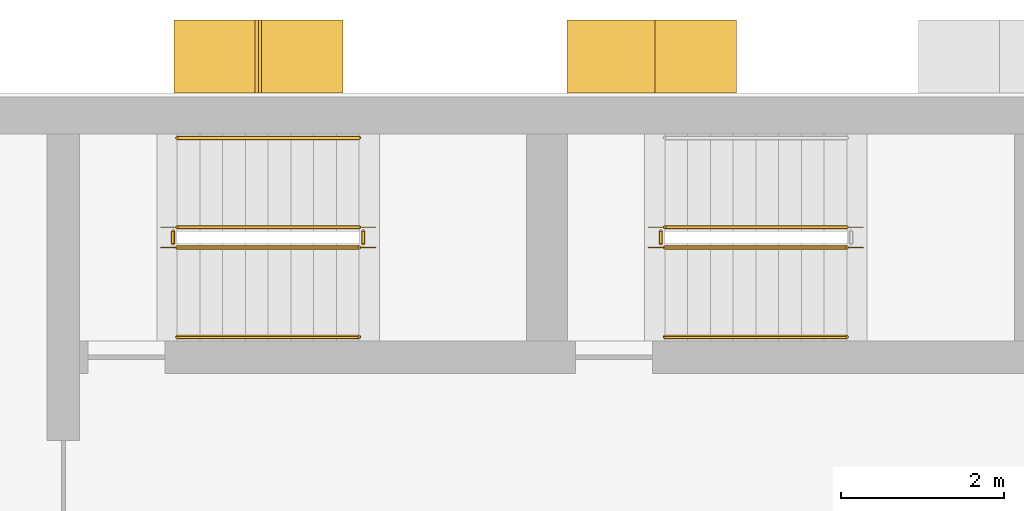
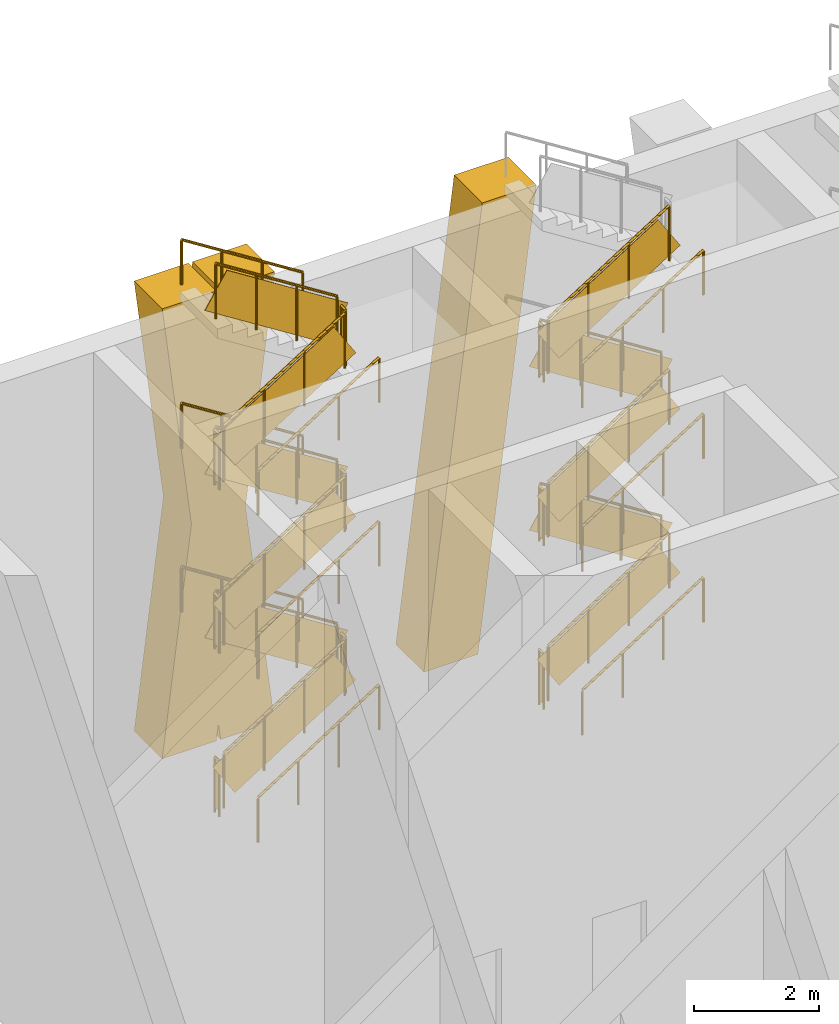
# One storey, part 13 of 16: 29 railings, 2 shading devices.
"""IFC4 building model written with IfcOpenShell, lengths in metres."""

import ifcopenshell
import ifcopenshell.guid

model = None  # the IFC model being written
_history = None  # IfcOwnerHistory: only IFC2X3 demands one
_inside = {}  # id of a spatial element -> (the spatial element, [elements in it])
_under = {}  # id of a project, library or spatial element -> (it, [spatial elements below it])
_declared = {}  # id of a project -> (the project, [libraries it declares])
_typed = {}  # id of a type object -> (the type object, [elements of that type])
_made_of = {}  # id of a material, layer set ... -> (it, [elements and type objects made of it])


def new_model(schema):
    """Start an empty IFC model of exactly this schema.

    Asked for "IFC4X3", IfcOpenShell would pick the latest addendum, in which some entities
    have other attributes; the version numbers below select the first issue.
    IFC2X3 requires an IfcOwnerHistory on every rooted entity: one is made here for all.
    """
    global model, _history
    if schema == "IFC4X3":
        model = ifcopenshell.file(schema_version=(4, 3, 0, 0))
    else:
        model = ifcopenshell.file(schema=schema)
    _inside.clear()
    _under.clear()
    _declared.clear()
    _typed.clear()
    _made_of.clear()
    _history = None
    if model.schema == "IFC2X3":
        org = make("IfcOrganization", Name="unknown")
        user = make(
            "IfcPersonAndOrganization",
            ThePerson=make("IfcPerson", FamilyName="unknown"),
            TheOrganization=org,
        )
        app = make(
            "IfcApplication",
            ApplicationDeveloper=org,
            Version="unknown",
            ApplicationFullName="unknown",
            ApplicationIdentifier="unknown",
        )
        _history = make(
            "IfcOwnerHistory",
            OwningUser=user,
            OwningApplication=app,
            ChangeAction="ADDED",
            CreationDate=0,
        )
    return model


def make(cls, **values):
    """One entity of the class cls with the attributes given. An attribute that is None is left unset."""
    return model.create_entity(
        cls, **{name: value for name, value in values.items() if value is not None}
    )


def rooted(cls, **values):
    """An entity with a GlobalId (a new one), such as an element, a storey or a relation."""
    return make(cls, GlobalId=ifcopenshell.guid.new(), OwnerHistory=_history, **values)


def si_unit(unit_type, name, prefix=None):
    """IfcSIUnit, for example si_unit("LENGTHUNIT", "METRE", prefix="MILLI")."""
    return make("IfcSIUnit", UnitType=unit_type, Prefix=prefix, Name=name)


def assignment(units):
    """IfcUnitAssignment: the units of a project."""
    return None if units is None else make("IfcUnitAssignment", Units=units)


def point(xyz):
    """IfcCartesianPoint."""
    return None if xyz is None else make("IfcCartesianPoint", Coordinates=xyz)


def direction(xyz):
    """IfcDirection."""
    return None if xyz is None else make("IfcDirection", DirectionRatios=xyz)


def frame(location, z_axis=None, x_axis=None):
    """IfcAxis2Placement3D, a coordinate frame: its origin and axes. An axis left out is left unset."""
    return make(
        "IfcAxis2Placement3D",
        Location=point(location),
        Axis=direction(z_axis),
        RefDirection=direction(x_axis),
    )


def frame_2d(location, x_axis=None):
    """IfcAxis2Placement2D, a coordinate frame in the plane: its origin and x axis."""
    return make(
        "IfcAxis2Placement2D", Location=point(location), RefDirection=direction(x_axis)
    )


def origin():
    """The frame at (0, 0, 0) with its axes left unset."""
    return frame((0.0, 0.0, 0.0))


def origin_2d():
    """The frame at (0, 0) in the plane with its x axis left unset."""
    return frame_2d((0.0, 0.0))


def place(relative_to, where):
    """IfcLocalPlacement: puts the frame where relative to a parent placement (None: the world)."""
    return make(
        "IfcLocalPlacement", PlacementRelTo=relative_to, RelativePlacement=where
    )


def context(
    kind, dimensions, precision=None, world=None, true_north=None, identifier=None
):
    """IfcGeometricRepresentationContext, for example the 3D "Model" context."""
    return make(
        "IfcGeometricRepresentationContext",
        ContextIdentifier=identifier,
        ContextType=kind,
        CoordinateSpaceDimension=dimensions,
        Precision=precision,
        WorldCoordinateSystem=world,
        TrueNorth=true_north,
    )


def subcontext(parent, identifier, kind, view, scale=None):
    """IfcGeometricRepresentationSubContext, for example "Body" below "Model"."""
    return make(
        "IfcGeometricRepresentationSubContext",
        ContextIdentifier=identifier,
        ContextType=kind,
        ParentContext=parent,
        TargetScale=scale,
        TargetView=view,
    )


def project(units=None, contexts=None):
    """IfcProject with its units and contexts."""
    return rooted(
        "IfcProject",
        Name="project",
        RepresentationContexts=contexts,
        UnitsInContext=assignment(units),
    )


def spatial(cls, under=None, at=None, **own):
    """A site, building, storey or space (cls), placed at a placement, below another one or the project."""
    s = rooted(cls, ObjectPlacement=at, **own)
    if under is not None:
        _under.setdefault(under.id(), (under, []))[1].append(s)
    return s


def polyline(points):
    """IfcPolyline through the points."""
    return make("IfcPolyline", Points=[point(p) for p in points])


def profile(cls, at=None, kind="AREA", **sizes):
    """A parametric profile (cls). Its sizes go by their IFC names, for example OverallWidth=200.0."""
    return make(cls, ProfileType=kind, Position=at, **sizes)


def rectangle(**sizes):
    """IfcRectangleProfileDef."""
    return profile("IfcRectangleProfileDef", **sizes)


def circle(**sizes):
    """IfcCircleProfileDef."""
    return profile("IfcCircleProfileDef", **sizes)


def outline(outer, holes=None, kind="AREA"):
    """IfcArbitraryClosedProfileDef: a profile drawn as a closed curve; with holes, ...WithVoids."""
    if holes is None:
        return make("IfcArbitraryClosedProfileDef", ProfileType=kind, OuterCurve=outer)
    return make(
        "IfcArbitraryProfileDefWithVoids",
        ProfileType=kind,
        OuterCurve=outer,
        InnerCurves=holes,
    )


def extrude(swept, where, along, depth):
    """IfcExtrudedAreaSolid: the profile swept, set in the frame where, extruded along a direction by depth."""
    return make(
        "IfcExtrudedAreaSolid",
        SweptArea=swept,
        Position=where,
        ExtrudedDirection=direction(along),
        Depth=depth,
    )


def shape(context_of_items, identifier, shape_type, items):
    """IfcShapeRepresentation: the items that make up one representation, for example the "Body"."""
    return make(
        "IfcShapeRepresentation",
        ContextOfItems=context_of_items,
        RepresentationIdentifier=identifier,
        RepresentationType=shape_type,
        Items=items,
    )


def material(Name=None, Category=None):
    """IfcMaterial."""
    return make("IfcMaterial", Name=Name, Category=Category)


def layer(
    of_material, thickness, ventilated=None, Name=None, Category=None, Priority=None
):
    """IfcMaterialLayer: one layer of a wall or slab, of a material (None: an air gap)."""
    return make(
        "IfcMaterialLayer",
        Material=of_material,
        LayerThickness=thickness,
        IsVentilated=ventilated,
        Name=Name,
        Category=Category,
        Priority=Priority,
    )


def layer_set(layers, Name=None):
    """IfcMaterialLayerSet."""
    return make("IfcMaterialLayerSet", MaterialLayers=layers, LayerSetName=Name)


def made_of(thing, what):
    """Note that an element or type object is made of a material, layer set ...; save() writes the relation."""
    if what is not None:
        _made_of.setdefault(what.id(), (what, []))[1].append(thing)
    return thing


def type_object(cls, material=None, **own):
    """A type object (cls), such as IfcWallType, which elements share."""
    return made_of(rooted(cls, **own), material)


def element(
    cls,
    number,
    at=None,
    inside=None,
    cuts=None,
    type_object=None,
    material=None,
    context=None,
    identifier="Body",
    shape_type=None,
    held_by="IfcProductDefinitionShape",
    body=None,
    shapes=None,
    **own,
):
    """One element of the class cls, such as IfcWall. Its Tag is "e" and its number.

    at: its placement. inside: the storey or other place that contains it. cuts: it is an
    opening in that element (IfcRelVoidsElement). A single representation is given by context,
    identifier, shape_type and body (its items); several are given by shapes. held_by: the class
    of the entity that holds the representations. save() writes the other relations.
    """
    e = rooted(cls, Tag="e%d" % number, ObjectPlacement=at, **own)
    if body is not None:
        shapes = [shape(context, identifier, shape_type, body)]
    if shapes is not None:
        e.Representation = make(held_by, Representations=shapes)
    if inside is not None:
        _inside.setdefault(inside.id(), (inside, []))[1].append(e)
    if cuts is not None:
        rooted(
            "IfcRelVoidsElement", RelatingBuildingElement=cuts, RelatedOpeningElement=e
        )
    if type_object is not None:
        _typed.setdefault(type_object.id(), (type_object, []))[1].append(e)
    return made_of(e, material)


def aggregate(whole, parts):
    """IfcRelAggregates: a whole, such as a stair, and the parts it consists of."""
    return rooted("IfcRelAggregates", RelatingObject=whole, RelatedObjects=parts)


def save(model, path):
    """Write the relations noted so far, then the file.

    IfcRelAggregates (storeys below a building ...), IfcRelContainedInSpatialStructure (elements
    in a storey), IfcRelDefinesByType, IfcRelAssociatesMaterial and IfcRelDeclares: one each for
    every whole, place, type object, material and project.
    """
    for whole, parts in _under.values():
        aggregate(whole, parts)
    for where, things in _inside.values():
        rooted(
            "IfcRelContainedInSpatialStructure",
            RelatedElements=things,
            RelatingStructure=where,
        )
    for kind, things in _typed.values():
        rooted("IfcRelDefinesByType", RelatedObjects=things, RelatingType=kind)
    for what, things in _made_of.values():
        rooted("IfcRelAssociatesMaterial", RelatedObjects=things, RelatingMaterial=what)
    for by, libraries in _declared.values():
        rooted("IfcRelDeclares", RelatingContext=by, RelatedDefinitions=libraries)
    model.write(path)


model = new_model("IFC4")

# Units and contexts
model_context = context("Model", 3, precision=1e-05, world=origin(), true_north=direction((0.0, 1.0)))
body_context = subcontext(model_context, "Body", "Model", "MODEL_VIEW")
ifc_project = project(units=[si_unit("LENGTHUNIT", "METRE"), si_unit("AREAUNIT", "SQUARE_METRE"), si_unit("VOLUMEUNIT", "CUBIC_METRE"), si_unit("PLANEANGLEUNIT", "RADIAN"), si_unit("MASSUNIT", "GRAM", prefix="KILO")], contexts=[model_context])

# Site, building, storey
site_placement = place(None, origin())
site = spatial("IfcSite", under=ifc_project, at=site_placement, CompositionType="ELEMENT")
building_placement = place(site_placement, origin())
building = spatial("IfcBuilding", under=site, at=building_placement, Name="Vidyagriha Tower", CompositionType="ELEMENT")
storey_placement = place(building_placement, frame((0.0, 0.0, 151.800048828125)))
storey = spatial("IfcBuildingStorey", under=building, at=storey_placement, Name="L40", CompositionType="ELEMENT", Elevation=151.800048828125)

# Shading devices
ifc_material_1 = material(Name="Precast concrete C40/50 with brick facing", Category="concrete")
ifc_layer_1 = layer(ifc_material_1, 1.0)
ifc_layer_set_1 = layer_set([ifc_layer_1], Name="Precast concrete C40/50 with brick facing")
shading_device_type_1 = type_object("IfcShadingDeviceType", Name="Brick-faced rear rib arm leaning 8 degrees", PredefinedType="USERDEFINED", material=ifc_layer_set_1)
shading_device_1_placement = place(storey_placement, frame((-1.1201171875, 20.449951171875, 0.0), z_axis=(0.0, 0.0, 1.0), x_axis=(-1.0, 0.0, 0.0)))
element("IfcShadingDevice", 1, at=shading_device_1_placement, inside=storey, type_object=shading_device_type_1, Name="Rear rib arm L40 R08.3b", ObjectType="BLADE FIN", PredefinedType="USERDEFINED", context=body_context, shape_type="SweptSolid", body=[
    extrude(outline(polyline([(1.080078125, 0.0), (2.080078125, 0.0), (1.0, 8.800048828125), (0.0, 8.800048828125), (1.080078125, 0.0)])), frame((0.0, 0.449951171875, 0.0), z_axis=(0.0, -1.0, 0.0), x_axis=(1.0, 0.0, 0.0)), (0.0, 0.0, 1.0), 0.89990234375),
])
ifc_material_2 = material(Name="Precast concrete C40/50 with brick facing", Category="concrete")
ifc_layer_2 = layer(ifc_material_2, 1.0)
ifc_layer_set_2 = layer_set([ifc_layer_2], Name="Precast concrete C40/50 with brick facing")
shading_device_type_2 = type_object("IfcShadingDeviceType", Name="Brick-faced rear rib forking 8 degrees", PredefinedType="USERDEFINED", material=ifc_layer_set_2)
shading_device_2_placement = place(storey_placement, frame((-5.9599609375, 20.449951171875, 0.0), z_axis=(0.0, 0.0, 1.0), x_axis=(-1.0, 0.0, 0.0)))
element("IfcShadingDevice", 2, at=shading_device_2_placement, inside=storey, type_object=shading_device_type_2, Name="Rear rib fork L40 R08.4a", ObjectType="BLADE FIN", PredefinedType="USERDEFINED", context=body_context, shape_type="SweptSolid", body=[
    extrude(outline(polyline([(1.0, 0.0), (1.0400390625, 0.325927734375), (1.080078125, 0.0), (2.080078125, 0.0), (1.5400390625, 4.39990234375), (2.080078125, 8.800048828125), (1.080078125, 8.800048828125), (1.0400390625, 8.47412109375), (1.0, 8.800048828125), (0.0, 8.800048828125), (0.5400390625, 4.39990234375), (0.0, 0.0), (1.0, 0.0)])), frame((0.0, 0.449951171875, 0.0), z_axis=(0.0, -1.0, 0.0), x_axis=(1.0, 0.0, 0.0)), (0.0, 0.0, 1.0), 0.89990234375),
])

# Railings
ifc_material_3 = material(Name="Steel ASTM A500 Grade C", Category="steel")
railing_type_1 = type_object("IfcRailingType", Name="Stair guard 1100 mm, steel balustrade", PredefinedType="GUARDRAIL", material=ifc_material_3)
railing_1_placement = place(storey_placement, frame((-8.0, 18.10009765625, 0.177734375)))
element("IfcRailing", 3, at=railing_1_placement, inside=storey, type_object=railing_type_1, Name="L40 ST1 stair guard 1", PredefinedType="GUARDRAIL", context=body_context, shape_type="SweptSolid", body=[
    extrude(circle(Radius=0.02392578125, at=origin_2d()), frame((0.0, 0.0, 1.076171875), z_axis=(0.8442293374, 0.0, 0.53598211339), x_axis=(0.0, 1.0, 0.0)), (0.0, 0.0, 1.0), 2.6533203125),
    extrude(circle(Radius=0.02099609375, at=origin_2d()), origin(), (0.0, 0.0, 1.0), 1.052001953125),
    extrude(circle(Radius=0.02099609375, at=origin_2d()), frame((0.74658203125, 0.0, 0.47412109375)), (0.0, 0.0, 1.0), 1.052001953125),
    extrude(circle(Radius=0.02099609375, at=origin_2d()), frame((1.493408203125, 0.0, 0.947998046875)), (0.0, 0.0, 1.0), 1.052001953125),
    extrude(circle(Radius=0.02099609375, at=origin_2d()), frame((2.239990234375, 0.0, 1.422119140625)), (0.0, 0.0, 1.0), 1.052001953125),
    extrude(rectangle(XDim=0.010009765625, YDim=0.761474609375, at=origin_2d()), frame((0.0, 0.0, 0.551025390625), z_axis=(0.8442293374, 0.0, 0.53598211339), x_axis=(0.0, 1.0, 0.0)), (0.0, 0.0, 1.0), 2.6533203125),
])
railing_2_placement = place(storey_placement, frame((-5.7099609375, 18.14990234375, 1.599853515625)))
element("IfcRailing", 4, at=railing_2_placement, inside=storey, type_object=railing_type_1, Name="L40 ST1 stair guard 2", PredefinedType="GUARDRAIL", context=body_context, shape_type="SweptSolid", body=[
    extrude(circle(Radius=0.02392578125, at=origin_2d()), frame((0.0, 0.0, 1.076171875), z_axis=(0.0, 1.0, 0.0), x_axis=(-1.0, 0.0, 0.0)), (0.0, 0.0, 1.0), 0.150146484375),
    extrude(circle(Radius=0.02099609375, at=origin_2d()), origin(), (0.0, 0.0, 1.0), 1.052001953125),
    extrude(circle(Radius=0.02099609375, at=origin_2d()), frame((0.0, 0.150146484375, 0.0)), (0.0, 0.0, 1.0), 1.052001953125),
    extrude(rectangle(XDim=0.010009765625, YDim=0.902099609375, at=origin_2d()), frame((0.0, 0.0, 0.551025390625), z_axis=(0.0, 1.0, 0.0), x_axis=(-1.0, 0.0, 0.0)), (0.0, 0.0, 1.0), 0.150146484375),
])
railing_3_placement = place(storey_placement, frame((-5.760009765625, 18.35009765625, 1.77783203125)))
element("IfcRailing", 5, at=railing_3_placement, inside=storey, type_object=railing_type_1, Name="L40 ST1 stair guard 3", PredefinedType="GUARDRAIL", context=body_context, shape_type="SweptSolid", body=[
    extrude(circle(Radius=0.02392578125, at=origin_2d()), frame((0.0, 0.0, 1.076171875), z_axis=(-0.8442293374, 0.0, 0.53598211339), x_axis=(0.0, -1.0, 0.0)), (0.0, 0.0, 1.0), 2.6533203125),
    extrude(circle(Radius=0.02099609375, at=origin_2d()), origin(), (0.0, 0.0, 1.0), 1.052001953125),
    extrude(circle(Radius=0.02099609375, at=origin_2d()), frame((-0.74658203125, 0.0, 0.47412109375)), (0.0, 0.0, 1.0), 1.052001953125),
    extrude(circle(Radius=0.02099609375, at=origin_2d()), frame((-1.493408203125, 0.0, 0.947998046875)), (0.0, 0.0, 1.0), 1.052001953125),
    extrude(circle(Radius=0.02099609375, at=origin_2d()), frame((-2.239990234375, 0.0, 1.422119140625)), (0.0, 0.0, 1.0), 1.052001953125),
    extrude(rectangle(XDim=0.010009765625, YDim=0.761474609375, at=origin_2d()), frame((0.0, 0.0, 0.551025390625), z_axis=(-0.8442293374, 0.0, 0.53598211339), x_axis=(0.0, -1.0, 0.0)), (0.0, 0.0, 1.0), 2.6533203125),
])
railing_4_placement = place(storey_placement, frame((-8.050048828125, 18.14990234375, 3.199951171875)))
element("IfcRailing", 6, at=railing_4_placement, inside=storey, type_object=railing_type_1, Name="L40 ST1 stair guard 4", PredefinedType="GUARDRAIL", context=body_context, shape_type="SweptSolid", body=[
    extrude(circle(Radius=0.02392578125, at=origin_2d()), frame((0.0, 0.0, 1.076171875), z_axis=(0.0, 1.0, 0.0), x_axis=(-1.0, 0.0, 0.0)), (0.0, 0.0, 1.0), 0.150146484375),
    extrude(circle(Radius=0.02099609375, at=origin_2d()), origin(), (0.0, 0.0, 1.0), 1.052001953125),
    extrude(circle(Radius=0.02099609375, at=origin_2d()), frame((0.0, 0.150146484375, 0.0)), (0.0, 0.0, 1.0), 1.052001953125),
    extrude(rectangle(XDim=0.010009765625, YDim=0.902099609375, at=origin_2d()), frame((0.0, 0.0, 0.551025390625), z_axis=(0.0, 1.0, 0.0), x_axis=(-1.0, 0.0, 0.0)), (0.0, 0.0, 1.0), 0.150146484375),
])
railing_5_placement = place(storey_placement, frame((-8.0, 18.10009765625, 3.377685546875)))
element("IfcRailing", 7, at=railing_5_placement, inside=storey, type_object=railing_type_1, Name="L40 ST1 stair guard 5", PredefinedType="GUARDRAIL", context=body_context, shape_type="SweptSolid", body=[
    extrude(circle(Radius=0.02392578125, at=origin_2d()), frame((0.0, 0.0, 1.076171875), z_axis=(0.84418770128, 0.0, 0.536047689118), x_axis=(0.0, 1.0, 0.0)), (0.0, 0.0, 1.0), 2.6533203125),
    extrude(circle(Radius=0.02099609375, at=origin_2d()), origin(), (0.0, 0.0, 1.0), 1.052001953125),
    extrude(circle(Radius=0.02099609375, at=origin_2d()), frame((0.74658203125, 0.0, 0.47412109375)), (0.0, 0.0, 1.0), 1.052001953125),
    extrude(circle(Radius=0.02099609375, at=origin_2d()), frame((1.493408203125, 0.0, 0.9482421875)), (0.0, 0.0, 1.0), 1.052001953125),
    extrude(circle(Radius=0.02099609375, at=origin_2d()), frame((2.239990234375, 0.0, 1.42236328125)), (0.0, 0.0, 1.0), 1.052001953125),
    extrude(rectangle(XDim=0.010009765625, YDim=0.761474609375, at=origin_2d()), frame((0.0, 0.0, 0.551025390625), z_axis=(0.84418770128, 0.0, 0.536047689118), x_axis=(0.0, 1.0, 0.0)), (0.0, 0.0, 1.0), 2.6533203125),
])
railing_6_placement = place(storey_placement, frame((-5.7099609375, 18.14990234375, 4.800048828125)))
element("IfcRailing", 8, at=railing_6_placement, inside=storey, type_object=railing_type_1, Name="L40 ST1 stair guard 6", PredefinedType="GUARDRAIL", context=body_context, shape_type="SweptSolid", body=[
    extrude(circle(Radius=0.02392578125, at=origin_2d()), frame((0.0, 0.0, 1.076171875), z_axis=(0.0, 1.0, 0.0), x_axis=(-1.0, 0.0, 0.0)), (0.0, 0.0, 1.0), 0.150146484375),
    extrude(circle(Radius=0.02099609375, at=origin_2d()), origin(), (0.0, 0.0, 1.0), 1.052001953125),
    extrude(circle(Radius=0.02099609375, at=origin_2d()), frame((0.0, 0.150146484375, 0.0)), (0.0, 0.0, 1.0), 1.052001953125),
    extrude(rectangle(XDim=0.010009765625, YDim=0.902099609375, at=origin_2d()), frame((0.0, 0.0, 0.551025390625), z_axis=(0.0, 1.0, 0.0), x_axis=(-1.0, 0.0, 0.0)), (0.0, 0.0, 1.0), 0.150146484375),
])
railing_7_placement = place(storey_placement, frame((-5.760009765625, 18.35009765625, 4.977783203125)))
element("IfcRailing", 9, at=railing_7_placement, inside=storey, type_object=railing_type_1, Name="L40 ST1 stair guard 7", PredefinedType="GUARDRAIL", context=body_context, shape_type="SweptSolid", body=[
    extrude(circle(Radius=0.02392578125, at=origin_2d()), frame((0.0, 0.0, 1.076171875), z_axis=(-0.8442293374, 0.0, 0.53598211339), x_axis=(0.0, -1.0, 0.0)), (0.0, 0.0, 1.0), 2.6533203125),
    extrude(circle(Radius=0.02099609375, at=origin_2d()), origin(), (0.0, 0.0, 1.0), 1.052001953125),
    extrude(circle(Radius=0.02099609375, at=origin_2d()), frame((-0.74658203125, 0.0, 0.47412109375)), (0.0, 0.0, 1.0), 1.052001953125),
    extrude(circle(Radius=0.02099609375, at=origin_2d()), frame((-1.493408203125, 0.0, 0.947998046875)), (0.0, 0.0, 1.0), 1.052001953125),
    extrude(circle(Radius=0.02099609375, at=origin_2d()), frame((-2.239990234375, 0.0, 1.422119140625)), (0.0, 0.0, 1.0), 1.052001953125),
    extrude(rectangle(XDim=0.010009765625, YDim=0.761474609375, at=origin_2d()), frame((0.0, 0.0, 0.551025390625), z_axis=(-0.8442293374, 0.0, 0.53598211339), x_axis=(0.0, -1.0, 0.0)), (0.0, 0.0, 1.0), 2.6533203125),
])
railing_8_placement = place(storey_placement, frame((-8.050048828125, 18.14990234375, 6.39990234375)))
element("IfcRailing", 10, at=railing_8_placement, inside=storey, type_object=railing_type_1, Name="L40 ST1 stair guard 8", PredefinedType="GUARDRAIL", context=body_context, shape_type="SweptSolid", body=[
    extrude(circle(Radius=0.02392578125, at=origin_2d()), frame((0.0, 0.0, 1.076171875), z_axis=(0.0, 1.0, 0.0), x_axis=(-1.0, 0.0, 0.0)), (0.0, 0.0, 1.0), 0.150146484375),
    extrude(circle(Radius=0.02099609375, at=origin_2d()), origin(), (0.0, 0.0, 1.0), 1.052001953125),
    extrude(circle(Radius=0.02099609375, at=origin_2d()), frame((0.0, 0.150146484375, 0.0)), (0.0, 0.0, 1.0), 1.052001953125),
    extrude(rectangle(XDim=0.010009765625, YDim=0.902099609375, at=origin_2d()), frame((0.0, 0.0, 0.551025390625), z_axis=(0.0, 1.0, 0.0), x_axis=(-1.0, 0.0, 0.0)), (0.0, 0.0, 1.0), 0.150146484375),
])
railing_9_placement = place(storey_placement, frame((-8.0, 18.10009765625, 6.57763671875)))
element("IfcRailing", 11, at=railing_9_placement, inside=storey, type_object=railing_type_1, Name="L40 ST1 stair guard 9", PredefinedType="GUARDRAIL", context=body_context, shape_type="SweptSolid", body=[
    extrude(circle(Radius=0.02392578125, at=origin_2d()), frame((0.0, 0.0, 1.076171875), z_axis=(0.84418770128, 0.0, 0.536047689118), x_axis=(0.0, 1.0, 0.0)), (0.0, 0.0, 1.0), 2.6533203125),
    extrude(circle(Radius=0.02099609375, at=origin_2d()), origin(), (0.0, 0.0, 1.0), 1.052001953125),
    extrude(circle(Radius=0.02099609375, at=origin_2d()), frame((0.74658203125, 0.0, 0.47412109375)), (0.0, 0.0, 1.0), 1.052001953125),
    extrude(circle(Radius=0.02099609375, at=origin_2d()), frame((1.493408203125, 0.0, 0.9482421875)), (0.0, 0.0, 1.0), 1.052001953125),
    extrude(circle(Radius=0.02099609375, at=origin_2d()), frame((2.239990234375, 0.0, 1.42236328125)), (0.0, 0.0, 1.0), 1.052001953125),
    extrude(rectangle(XDim=0.010009765625, YDim=0.761474609375, at=origin_2d()), frame((0.0, 0.0, 0.551025390625), z_axis=(0.84418770128, 0.0, 0.536047689118), x_axis=(0.0, 1.0, 0.0)), (0.0, 0.0, 1.0), 2.6533203125),
])
railing_10_placement = place(storey_placement, frame((-5.7099609375, 18.14990234375, 8.0)))
element("IfcRailing", 12, at=railing_10_placement, inside=storey, type_object=railing_type_1, Name="L40 ST1 stair guard 10", PredefinedType="GUARDRAIL", context=body_context, shape_type="SweptSolid", body=[
    extrude(circle(Radius=0.02392578125, at=origin_2d()), frame((0.0, 0.0, 1.076171875), z_axis=(0.0, 1.0, 0.0), x_axis=(-1.0, 0.0, 0.0)), (0.0, 0.0, 1.0), 0.150146484375),
    extrude(circle(Radius=0.02099609375, at=origin_2d()), origin(), (0.0, 0.0, 1.0), 1.052001953125),
    extrude(circle(Radius=0.02099609375, at=origin_2d()), frame((0.0, 0.150146484375, 0.0)), (0.0, 0.0, 1.0), 1.052001953125),
    extrude(rectangle(XDim=0.010009765625, YDim=0.902099609375, at=origin_2d()), frame((0.0, 0.0, 0.551025390625), z_axis=(0.0, 1.0, 0.0), x_axis=(-1.0, 0.0, 0.0)), (0.0, 0.0, 1.0), 0.150146484375),
])
railing_11_placement = place(storey_placement, frame((-5.760009765625, 18.35009765625, 8.177734375)))
element("IfcRailing", 13, at=railing_11_placement, inside=storey, type_object=railing_type_1, Name="L40 ST1 stair guard 11", PredefinedType="GUARDRAIL", context=body_context, shape_type="SweptSolid", body=[
    extrude(circle(Radius=0.02392578125, at=origin_2d()), frame((0.0, 0.0, 1.076171875), z_axis=(-0.8442293374, 0.0, 0.53598211339), x_axis=(0.0, -1.0, 0.0)), (0.0, 0.0, 1.0), 2.6533203125),
    extrude(circle(Radius=0.02099609375, at=origin_2d()), origin(), (0.0, 0.0, 1.0), 1.052001953125),
    extrude(circle(Radius=0.02099609375, at=origin_2d()), frame((-0.74658203125, 0.0, 0.47412109375)), (0.0, 0.0, 1.0), 1.052001953125),
    extrude(circle(Radius=0.02099609375, at=origin_2d()), frame((-1.493408203125, 0.0, 0.947998046875)), (0.0, 0.0, 1.0), 1.052001953125),
    extrude(circle(Radius=0.02099609375, at=origin_2d()), frame((-2.239990234375, 0.0, 1.422119140625)), (0.0, 0.0, 1.0), 1.052001953125),
    extrude(rectangle(XDim=0.010009765625, YDim=0.761474609375, at=origin_2d()), frame((0.0, 0.0, 0.551025390625), z_axis=(-0.8442293374, 0.0, 0.53598211339), x_axis=(0.0, -1.0, 0.0)), (0.0, 0.0, 1.0), 2.6533203125),
])
railing_12_placement = place(storey_placement, frame((-8.050048828125, 18.14990234375, 0.0)))
element("IfcRailing", 14, at=railing_12_placement, inside=storey, type_object=railing_type_1, Name="L40 ST1 stair guard 12", PredefinedType="GUARDRAIL", context=body_context, shape_type="SweptSolid", body=[
    extrude(circle(Radius=0.02392578125, at=origin_2d()), frame((0.0, 0.0, 1.076171875), z_axis=(0.0, 1.0, 0.0), x_axis=(-1.0, 0.0, 0.0)), (0.0, 0.0, 1.0), 0.150146484375),
    extrude(circle(Radius=0.02099609375, at=origin_2d()), origin(), (0.0, 0.0, 1.0), 1.052001953125),
    extrude(circle(Radius=0.02099609375, at=origin_2d()), frame((0.0, 0.150146484375, 0.0)), (0.0, 0.0, 1.0), 1.052001953125),
    extrude(rectangle(XDim=0.010009765625, YDim=0.902099609375, at=origin_2d()), frame((0.0, 0.0, 0.551025390625), z_axis=(0.0, 1.0, 0.0), x_axis=(-1.0, 0.0, 0.0)), (0.0, 0.0, 1.0), 0.150146484375),
])
railing_13_placement = place(storey_placement, frame((-2.0, 18.10009765625, 0.177734375)))
element("IfcRailing", 15, at=railing_13_placement, inside=storey, type_object=railing_type_1, Name="L40 ST2 stair guard 1", PredefinedType="GUARDRAIL", context=body_context, shape_type="SweptSolid", body=[
    extrude(circle(Radius=0.02392578125, at=origin_2d()), frame((0.0, 0.0, 1.076171875), z_axis=(0.8442293374, 0.0, 0.53598211339), x_axis=(0.0, 1.0, 0.0)), (0.0, 0.0, 1.0), 2.6533203125),
    extrude(circle(Radius=0.02099609375, at=origin_2d()), origin(), (0.0, 0.0, 1.0), 1.052001953125),
    extrude(circle(Radius=0.02099609375, at=origin_2d()), frame((0.74658203125, 0.0, 0.47412109375)), (0.0, 0.0, 1.0), 1.052001953125),
    extrude(circle(Radius=0.02099609375, at=origin_2d()), frame((1.493408203125, 0.0, 0.947998046875)), (0.0, 0.0, 1.0), 1.052001953125),
    extrude(circle(Radius=0.02099609375, at=origin_2d()), frame((2.239990234375, 0.0, 1.422119140625)), (0.0, 0.0, 1.0), 1.052001953125),
    extrude(rectangle(XDim=0.010009765625, YDim=0.761474609375, at=origin_2d()), frame((0.0, 0.0, 0.551025390625), z_axis=(0.8442293374, 0.0, 0.53598211339), x_axis=(0.0, 1.0, 0.0)), (0.0, 0.0, 1.0), 2.6533203125),
])
railing_14_placement = place(storey_placement, frame((0.239990234375, 18.35009765625, 1.77783203125)))
element("IfcRailing", 16, at=railing_14_placement, inside=storey, type_object=railing_type_1, Name="L40 ST2 stair guard 3", PredefinedType="GUARDRAIL", context=body_context, shape_type="SweptSolid", body=[
    extrude(circle(Radius=0.02392578125, at=origin_2d()), frame((0.0, 0.0, 1.076171875), z_axis=(-0.8442293374, 0.0, 0.53598211339), x_axis=(0.0, -1.0, 0.0)), (0.0, 0.0, 1.0), 2.6533203125),
    extrude(circle(Radius=0.02099609375, at=origin_2d()), origin(), (0.0, 0.0, 1.0), 1.052001953125),
    extrude(circle(Radius=0.02099609375, at=origin_2d()), frame((-0.74658203125, 0.0, 0.47412109375)), (0.0, 0.0, 1.0), 1.052001953125),
    extrude(circle(Radius=0.02099609375, at=origin_2d()), frame((-1.493408203125, 0.0, 0.947998046875)), (0.0, 0.0, 1.0), 1.052001953125),
    extrude(circle(Radius=0.02099609375, at=origin_2d()), frame((-2.239990234375, 0.0, 1.422119140625)), (0.0, 0.0, 1.0), 1.052001953125),
    extrude(rectangle(XDim=0.010009765625, YDim=0.761474609375, at=origin_2d()), frame((0.0, 0.0, 0.551025390625), z_axis=(-0.8442293374, 0.0, 0.53598211339), x_axis=(0.0, -1.0, 0.0)), (0.0, 0.0, 1.0), 2.6533203125),
])
railing_15_placement = place(storey_placement, frame((-2.050048828125, 18.14990234375, 3.199951171875)))
element("IfcRailing", 17, at=railing_15_placement, inside=storey, type_object=railing_type_1, Name="L40 ST2 stair guard 4", PredefinedType="GUARDRAIL", context=body_context, shape_type="SweptSolid", body=[
    extrude(circle(Radius=0.02392578125, at=origin_2d()), frame((0.0, 0.0, 1.076171875), z_axis=(0.0, 1.0, 0.0), x_axis=(-1.0, 0.0, 0.0)), (0.0, 0.0, 1.0), 0.150146484375),
    extrude(circle(Radius=0.02099609375, at=origin_2d()), origin(), (0.0, 0.0, 1.0), 1.052001953125),
    extrude(circle(Radius=0.02099609375, at=origin_2d()), frame((0.0, 0.150146484375, 0.0)), (0.0, 0.0, 1.0), 1.052001953125),
    extrude(rectangle(XDim=0.010009765625, YDim=0.902099609375, at=origin_2d()), frame((0.0, 0.0, 0.551025390625), z_axis=(0.0, 1.0, 0.0), x_axis=(-1.0, 0.0, 0.0)), (0.0, 0.0, 1.0), 0.150146484375),
])
railing_16_placement = place(storey_placement, frame((-2.0, 18.10009765625, 3.377685546875)))
element("IfcRailing", 18, at=railing_16_placement, inside=storey, type_object=railing_type_1, Name="L40 ST2 stair guard 5", PredefinedType="GUARDRAIL", context=body_context, shape_type="SweptSolid", body=[
    extrude(circle(Radius=0.02392578125, at=origin_2d()), frame((0.0, 0.0, 1.076171875), z_axis=(0.84418770128, 0.0, 0.536047689118), x_axis=(0.0, 1.0, 0.0)), (0.0, 0.0, 1.0), 2.6533203125),
    extrude(circle(Radius=0.02099609375, at=origin_2d()), origin(), (0.0, 0.0, 1.0), 1.052001953125),
    extrude(circle(Radius=0.02099609375, at=origin_2d()), frame((0.74658203125, 0.0, 0.47412109375)), (0.0, 0.0, 1.0), 1.052001953125),
    extrude(circle(Radius=0.02099609375, at=origin_2d()), frame((1.493408203125, 0.0, 0.9482421875)), (0.0, 0.0, 1.0), 1.052001953125),
    extrude(circle(Radius=0.02099609375, at=origin_2d()), frame((2.239990234375, 0.0, 1.42236328125)), (0.0, 0.0, 1.0), 1.052001953125),
    extrude(rectangle(XDim=0.010009765625, YDim=0.761474609375, at=origin_2d()), frame((0.0, 0.0, 0.551025390625), z_axis=(0.84418770128, 0.0, 0.536047689118), x_axis=(0.0, 1.0, 0.0)), (0.0, 0.0, 1.0), 2.6533203125),
])
railing_17_placement = place(storey_placement, frame((0.239990234375, 18.35009765625, 4.977783203125)))
element("IfcRailing", 19, at=railing_17_placement, inside=storey, type_object=railing_type_1, Name="L40 ST2 stair guard 7", PredefinedType="GUARDRAIL", context=body_context, shape_type="SweptSolid", body=[
    extrude(circle(Radius=0.02392578125, at=origin_2d()), frame((0.0, 0.0, 1.076171875), z_axis=(-0.8442293374, 0.0, 0.53598211339), x_axis=(0.0, -1.0, 0.0)), (0.0, 0.0, 1.0), 2.6533203125),
    extrude(circle(Radius=0.02099609375, at=origin_2d()), origin(), (0.0, 0.0, 1.0), 1.052001953125),
    extrude(circle(Radius=0.02099609375, at=origin_2d()), frame((-0.74658203125, 0.0, 0.47412109375)), (0.0, 0.0, 1.0), 1.052001953125),
    extrude(circle(Radius=0.02099609375, at=origin_2d()), frame((-1.493408203125, 0.0, 0.947998046875)), (0.0, 0.0, 1.0), 1.052001953125),
    extrude(circle(Radius=0.02099609375, at=origin_2d()), frame((-2.239990234375, 0.0, 1.422119140625)), (0.0, 0.0, 1.0), 1.052001953125),
    extrude(rectangle(XDim=0.010009765625, YDim=0.761474609375, at=origin_2d()), frame((0.0, 0.0, 0.551025390625), z_axis=(-0.8442293374, 0.0, 0.53598211339), x_axis=(0.0, -1.0, 0.0)), (0.0, 0.0, 1.0), 2.6533203125),
])
railing_18_placement = place(storey_placement, frame((-2.050048828125, 18.14990234375, 6.39990234375)))
element("IfcRailing", 20, at=railing_18_placement, inside=storey, type_object=railing_type_1, Name="L40 ST2 stair guard 8", PredefinedType="GUARDRAIL", context=body_context, shape_type="SweptSolid", body=[
    extrude(circle(Radius=0.02392578125, at=origin_2d()), frame((0.0, 0.0, 1.076171875), z_axis=(0.0, 1.0, 0.0), x_axis=(-1.0, 0.0, 0.0)), (0.0, 0.0, 1.0), 0.150146484375),
    extrude(circle(Radius=0.02099609375, at=origin_2d()), origin(), (0.0, 0.0, 1.0), 1.052001953125),
    extrude(circle(Radius=0.02099609375, at=origin_2d()), frame((0.0, 0.150146484375, 0.0)), (0.0, 0.0, 1.0), 1.052001953125),
    extrude(rectangle(XDim=0.010009765625, YDim=0.902099609375, at=origin_2d()), frame((0.0, 0.0, 0.551025390625), z_axis=(0.0, 1.0, 0.0), x_axis=(-1.0, 0.0, 0.0)), (0.0, 0.0, 1.0), 0.150146484375),
])
railing_19_placement = place(storey_placement, frame((-2.0, 18.10009765625, 6.57763671875)))
element("IfcRailing", 21, at=railing_19_placement, inside=storey, type_object=railing_type_1, Name="L40 ST2 stair guard 9", PredefinedType="GUARDRAIL", context=body_context, shape_type="SweptSolid", body=[
    extrude(circle(Radius=0.02392578125, at=origin_2d()), frame((0.0, 0.0, 1.076171875), z_axis=(0.84418770128, 0.0, 0.536047689118), x_axis=(0.0, 1.0, 0.0)), (0.0, 0.0, 1.0), 2.6533203125),
    extrude(circle(Radius=0.02099609375, at=origin_2d()), origin(), (0.0, 0.0, 1.0), 1.052001953125),
    extrude(circle(Radius=0.02099609375, at=origin_2d()), frame((0.74658203125, 0.0, 0.47412109375)), (0.0, 0.0, 1.0), 1.052001953125),
    extrude(circle(Radius=0.02099609375, at=origin_2d()), frame((1.493408203125, 0.0, 0.9482421875)), (0.0, 0.0, 1.0), 1.052001953125),
    extrude(circle(Radius=0.02099609375, at=origin_2d()), frame((2.239990234375, 0.0, 1.42236328125)), (0.0, 0.0, 1.0), 1.052001953125),
    extrude(rectangle(XDim=0.010009765625, YDim=0.761474609375, at=origin_2d()), frame((0.0, 0.0, 0.551025390625), z_axis=(0.84418770128, 0.0, 0.536047689118), x_axis=(0.0, 1.0, 0.0)), (0.0, 0.0, 1.0), 2.6533203125),
])
railing_20_placement = place(storey_placement, frame((-2.050048828125, 18.14990234375, 0.0)))
element("IfcRailing", 22, at=railing_20_placement, inside=storey, type_object=railing_type_1, Name="L40 ST2 stair guard 12", PredefinedType="GUARDRAIL", context=body_context, shape_type="SweptSolid", body=[
    extrude(circle(Radius=0.02392578125, at=origin_2d()), frame((0.0, 0.0, 1.076171875), z_axis=(0.0, 1.0, 0.0), x_axis=(-1.0, 0.0, 0.0)), (0.0, 0.0, 1.0), 0.150146484375),
    extrude(circle(Radius=0.02099609375, at=origin_2d()), origin(), (0.0, 0.0, 1.0), 1.052001953125),
    extrude(circle(Radius=0.02099609375, at=origin_2d()), frame((0.0, 0.150146484375, 0.0)), (0.0, 0.0, 1.0), 1.052001953125),
    extrude(rectangle(XDim=0.010009765625, YDim=0.902099609375, at=origin_2d()), frame((0.0, 0.0, 0.551025390625), z_axis=(0.0, 1.0, 0.0), x_axis=(-1.0, 0.0, 0.0)), (0.0, 0.0, 1.0), 0.150146484375),
])
ifc_material_4 = material(Name="Steel ASTM A500 Grade C", Category="steel")
railing_type_2 = type_object("IfcRailingType", Name="Stair handrail 900 mm, steel", PredefinedType="HANDRAIL", material=ifc_material_4)
railing_21_placement = place(storey_placement, frame((-8.0, 17.0, 0.177734375)))
element("IfcRailing", 23, at=railing_21_placement, inside=storey, type_object=railing_type_2, Name="L40 ST1 stair handrail 1", PredefinedType="HANDRAIL", context=body_context, shape_type="SweptSolid", body=[
    extrude(circle(Radius=0.02392578125, at=origin_2d()), frame((0.0, 0.0, 0.8759765625), z_axis=(0.8442293374, 0.0, 0.53598211339), x_axis=(0.0, 1.0, 0.0)), (0.0, 0.0, 1.0), 2.6533203125),
    extrude(circle(Radius=0.02099609375, at=origin_2d()), origin(), (0.0, 0.0, 1.0), 0.851806640625),
    extrude(circle(Radius=0.02099609375, at=origin_2d()), frame((0.74658203125, 0.0, 0.47412109375)), (0.0, 0.0, 1.0), 0.851806640625),
    extrude(circle(Radius=0.02099609375, at=origin_2d()), frame((1.493408203125, 0.0, 0.947998046875)), (0.0, 0.0, 1.0), 0.851806640625),
    extrude(circle(Radius=0.02099609375, at=origin_2d()), frame((2.239990234375, 0.0, 1.422119140625)), (0.0, 0.0, 1.0), 0.851806640625),
])
railing_22_placement = place(storey_placement, frame((-5.760009765625, 19.449951171875, 1.77783203125)))
element("IfcRailing", 24, at=railing_22_placement, inside=storey, type_object=railing_type_2, Name="L40 ST1 stair handrail 2", PredefinedType="HANDRAIL", context=body_context, shape_type="SweptSolid", body=[
    extrude(circle(Radius=0.02392578125, at=origin_2d()), frame((0.0, 0.0, 0.8759765625), z_axis=(-0.8442293374, 0.0, 0.53598211339), x_axis=(0.0, -1.0, 0.0)), (0.0, 0.0, 1.0), 2.6533203125),
    extrude(circle(Radius=0.02099609375, at=origin_2d()), origin(), (0.0, 0.0, 1.0), 0.851806640625),
    extrude(circle(Radius=0.02099609375, at=origin_2d()), frame((-0.74658203125, 0.0, 0.47412109375)), (0.0, 0.0, 1.0), 0.851806640625),
    extrude(circle(Radius=0.02099609375, at=origin_2d()), frame((-1.493408203125, 0.0, 0.947998046875)), (0.0, 0.0, 1.0), 0.851806640625),
    extrude(circle(Radius=0.02099609375, at=origin_2d()), frame((-2.239990234375, 0.0, 1.422119140625)), (0.0, 0.0, 1.0), 0.851806640625),
])
railing_23_placement = place(storey_placement, frame((-8.0, 17.0, 3.377685546875)))
element("IfcRailing", 25, at=railing_23_placement, inside=storey, type_object=railing_type_2, Name="L40 ST1 stair handrail 3", PredefinedType="HANDRAIL", context=body_context, shape_type="SweptSolid", body=[
    extrude(circle(Radius=0.02392578125, at=origin_2d()), frame((0.0, 0.0, 0.8759765625), z_axis=(0.84418770128, 0.0, 0.536047689118), x_axis=(0.0, 1.0, 0.0)), (0.0, 0.0, 1.0), 2.6533203125),
    extrude(circle(Radius=0.02099609375, at=origin_2d()), origin(), (0.0, 0.0, 1.0), 0.851806640625),
    extrude(circle(Radius=0.02099609375, at=origin_2d()), frame((0.74658203125, 0.0, 0.47412109375)), (0.0, 0.0, 1.0), 0.851806640625),
    extrude(circle(Radius=0.02099609375, at=origin_2d()), frame((1.493408203125, 0.0, 0.9482421875)), (0.0, 0.0, 1.0), 0.851806640625),
    extrude(circle(Radius=0.02099609375, at=origin_2d()), frame((2.239990234375, 0.0, 1.42236328125)), (0.0, 0.0, 1.0), 0.851806640625),
])
railing_24_placement = place(storey_placement, frame((-5.760009765625, 19.449951171875, 4.977783203125)))
element("IfcRailing", 26, at=railing_24_placement, inside=storey, type_object=railing_type_2, Name="L40 ST1 stair handrail 4", PredefinedType="HANDRAIL", context=body_context, shape_type="SweptSolid", body=[
    extrude(circle(Radius=0.02392578125, at=origin_2d()), frame((0.0, 0.0, 0.8759765625), z_axis=(-0.8442293374, 0.0, 0.53598211339), x_axis=(0.0, -1.0, 0.0)), (0.0, 0.0, 1.0), 2.6533203125),
    extrude(circle(Radius=0.02099609375, at=origin_2d()), origin(), (0.0, 0.0, 1.0), 0.851806640625),
    extrude(circle(Radius=0.02099609375, at=origin_2d()), frame((-0.74658203125, 0.0, 0.47412109375)), (0.0, 0.0, 1.0), 0.851806640625),
    extrude(circle(Radius=0.02099609375, at=origin_2d()), frame((-1.493408203125, 0.0, 0.947998046875)), (0.0, 0.0, 1.0), 0.851806640625),
    extrude(circle(Radius=0.02099609375, at=origin_2d()), frame((-2.239990234375, 0.0, 1.422119140625)), (0.0, 0.0, 1.0), 0.851806640625),
])
railing_25_placement = place(storey_placement, frame((-8.0, 17.0, 6.57763671875)))
element("IfcRailing", 27, at=railing_25_placement, inside=storey, type_object=railing_type_2, Name="L40 ST1 stair handrail 5", PredefinedType="HANDRAIL", context=body_context, shape_type="SweptSolid", body=[
    extrude(circle(Radius=0.02392578125, at=origin_2d()), frame((0.0, 0.0, 0.8759765625), z_axis=(0.84418770128, 0.0, 0.536047689118), x_axis=(0.0, 1.0, 0.0)), (0.0, 0.0, 1.0), 2.6533203125),
    extrude(circle(Radius=0.02099609375, at=origin_2d()), origin(), (0.0, 0.0, 1.0), 0.851806640625),
    extrude(circle(Radius=0.02099609375, at=origin_2d()), frame((0.74658203125, 0.0, 0.47412109375)), (0.0, 0.0, 1.0), 0.851806640625),
    extrude(circle(Radius=0.02099609375, at=origin_2d()), frame((1.493408203125, 0.0, 0.9482421875)), (0.0, 0.0, 1.0), 0.851806640625),
    extrude(circle(Radius=0.02099609375, at=origin_2d()), frame((2.239990234375, 0.0, 1.42236328125)), (0.0, 0.0, 1.0), 0.851806640625),
])
railing_26_placement = place(storey_placement, frame((-5.760009765625, 19.449951171875, 8.177734375)))
element("IfcRailing", 28, at=railing_26_placement, inside=storey, type_object=railing_type_2, Name="L40 ST1 stair handrail 6", PredefinedType="HANDRAIL", context=body_context, shape_type="SweptSolid", body=[
    extrude(circle(Radius=0.02392578125, at=origin_2d()), frame((0.0, 0.0, 0.8759765625), z_axis=(-0.8442293374, 0.0, 0.53598211339), x_axis=(0.0, -1.0, 0.0)), (0.0, 0.0, 1.0), 2.6533203125),
    extrude(circle(Radius=0.02099609375, at=origin_2d()), origin(), (0.0, 0.0, 1.0), 0.851806640625),
    extrude(circle(Radius=0.02099609375, at=origin_2d()), frame((-0.74658203125, 0.0, 0.47412109375)), (0.0, 0.0, 1.0), 0.851806640625),
    extrude(circle(Radius=0.02099609375, at=origin_2d()), frame((-1.493408203125, 0.0, 0.947998046875)), (0.0, 0.0, 1.0), 0.851806640625),
    extrude(circle(Radius=0.02099609375, at=origin_2d()), frame((-2.239990234375, 0.0, 1.422119140625)), (0.0, 0.0, 1.0), 0.851806640625),
])
railing_27_placement = place(storey_placement, frame((-2.0, 17.0, 0.177734375)))
element("IfcRailing", 29, at=railing_27_placement, inside=storey, type_object=railing_type_2, Name="L40 ST2 stair handrail 1", PredefinedType="HANDRAIL", context=body_context, shape_type="SweptSolid", body=[
    extrude(circle(Radius=0.02392578125, at=origin_2d()), frame((0.0, 0.0, 0.8759765625), z_axis=(0.8442293374, 0.0, 0.53598211339), x_axis=(0.0, 1.0, 0.0)), (0.0, 0.0, 1.0), 2.6533203125),
    extrude(circle(Radius=0.02099609375, at=origin_2d()), origin(), (0.0, 0.0, 1.0), 0.851806640625),
    extrude(circle(Radius=0.02099609375, at=origin_2d()), frame((0.74658203125, 0.0, 0.47412109375)), (0.0, 0.0, 1.0), 0.851806640625),
    extrude(circle(Radius=0.02099609375, at=origin_2d()), frame((1.493408203125, 0.0, 0.947998046875)), (0.0, 0.0, 1.0), 0.851806640625),
    extrude(circle(Radius=0.02099609375, at=origin_2d()), frame((2.239990234375, 0.0, 1.422119140625)), (0.0, 0.0, 1.0), 0.851806640625),
])
for number, where, name in (
    (30, (-2.0, 17.0, 3.377685546875), "L40 ST2 stair handrail 3"),
    (31, (-2.0, 17.0, 6.57763671875), "L40 ST2 stair handrail 5"),
):
    element("IfcRailing", number, at=place(storey_placement, frame(where)), inside=storey, type_object=railing_type_2, Name=name, PredefinedType="HANDRAIL", context=body_context, shape_type="SweptSolid", body=[
        extrude(circle(Radius=0.02392578125, at=origin_2d()), frame((0.0, 0.0, 0.8759765625), z_axis=(0.84418770128, 0.0, 0.536047689118), x_axis=(0.0, 1.0, 0.0)), (0.0, 0.0, 1.0), 2.6533203125),
        extrude(circle(Radius=0.02099609375, at=origin_2d()), origin(), (0.0, 0.0, 1.0), 0.851806640625),
        extrude(circle(Radius=0.02099609375, at=origin_2d()), frame((0.74658203125, 0.0, 0.47412109375)), (0.0, 0.0, 1.0), 0.851806640625),
        extrude(circle(Radius=0.02099609375, at=origin_2d()), frame((1.493408203125, 0.0, 0.9482421875)), (0.0, 0.0, 1.0), 0.851806640625),
        extrude(circle(Radius=0.02099609375, at=origin_2d()), frame((2.239990234375, 0.0, 1.42236328125)), (0.0, 0.0, 1.0), 0.851806640625),
    ])

save(model, "model.ifc")
